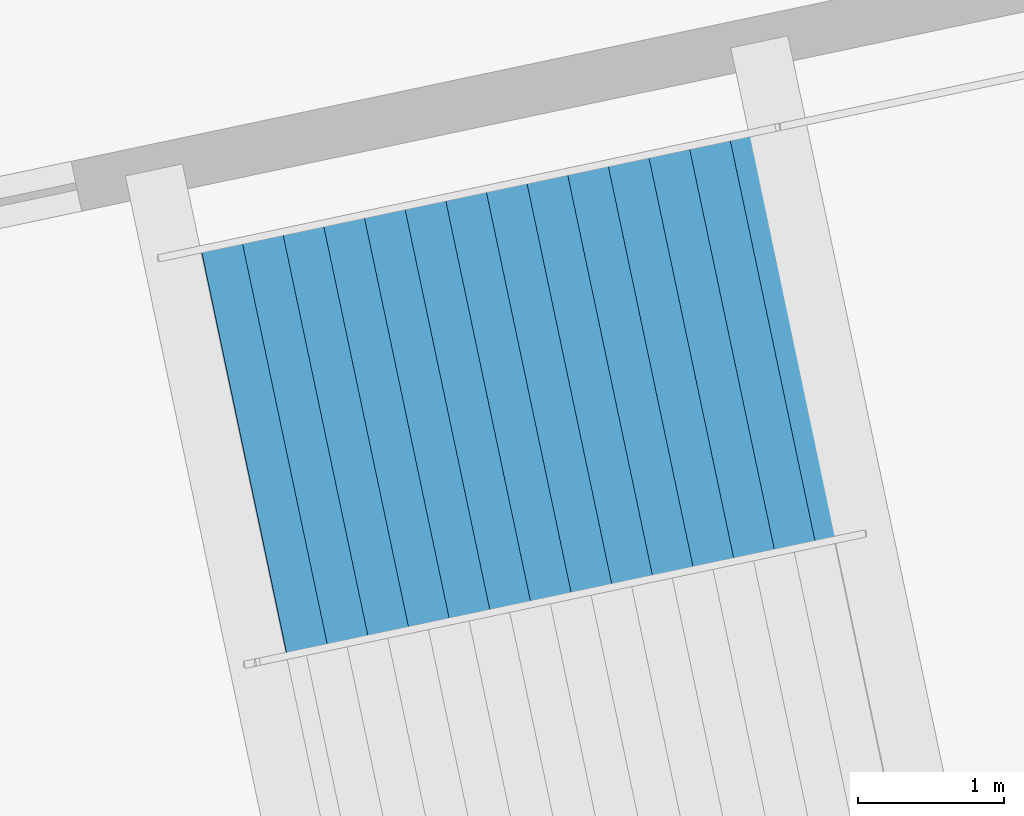
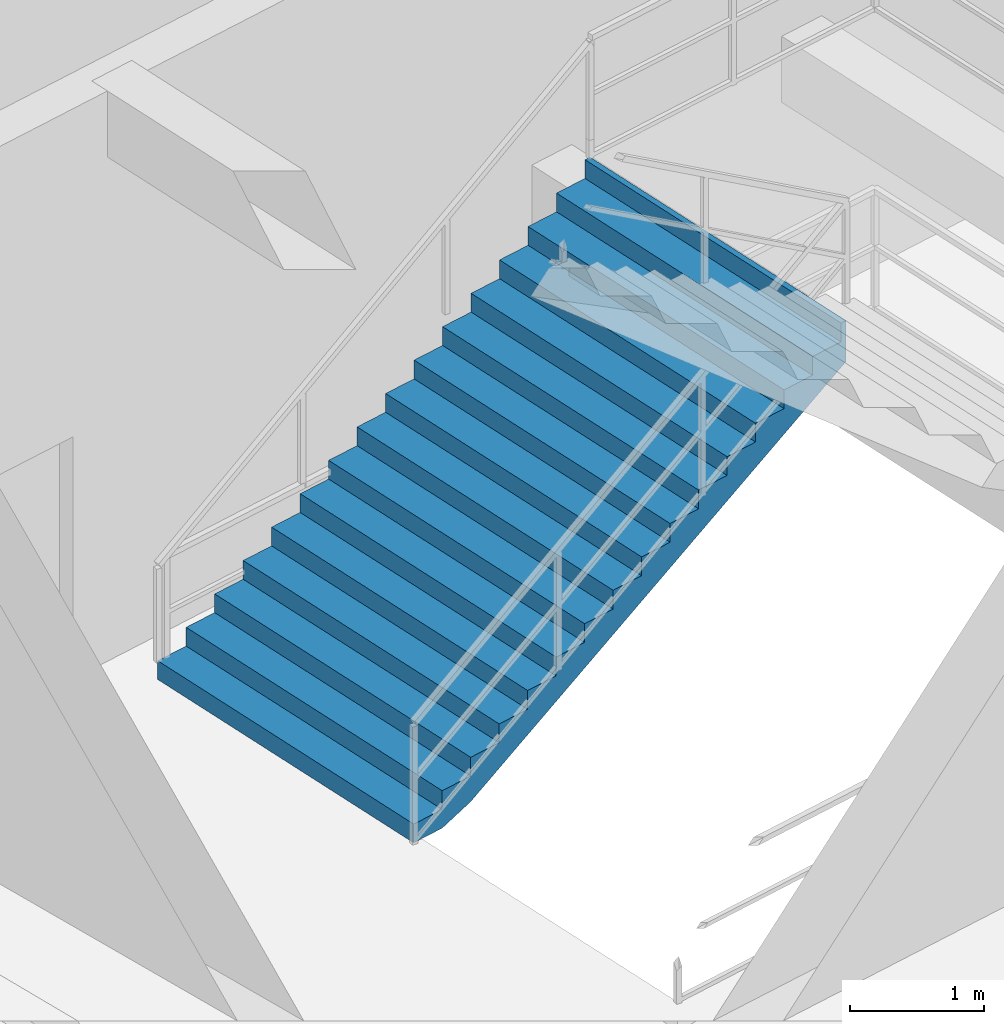
# One storey, part 86 of 103: 1 stair flight, 1 element without a shape of its own.
"""IFC4 building model written with IfcOpenShell, lengths in metres."""

from ifc_helpers import new_model, si_unit, direction, frame, origin, place, context, subcontext, project, spatial, polygons, material, type_object, element, aggregate, save


model = new_model("IFC4")

# Units and contexts
model_context = context("Model", 3, precision=1e-05, world=origin(), true_north=direction((0.0, 1.0)))
body_context = subcontext(model_context, "Body", "Model", "MODEL_VIEW")
ifc_project = project(units=[si_unit("LENGTHUNIT", "METRE"), si_unit("AREAUNIT", "SQUARE_METRE"), si_unit("VOLUMEUNIT", "CUBIC_METRE"), si_unit("PLANEANGLEUNIT", "RADIAN"), si_unit("MASSUNIT", "GRAM", prefix="KILO")], contexts=[model_context])

# Site, building, storey
site_placement = place(None, origin())
site = spatial("IfcSite", under=ifc_project, at=site_placement, CompositionType="ELEMENT")
building_placement = place(site_placement, origin())
building = spatial("IfcBuilding", under=site, at=building_placement, Name="Kazemori Nagisa Stadium", CompositionType="ELEMENT")
storey_placement = place(building_placement, frame((0.0, 0.0, 25.840087890625)))
storey = spatial("IfcBuildingStorey", under=building, at=storey_placement, Name="L05", CompositionType="ELEMENT", Elevation=25.840087890625)

# Stair, stair flight
ifc_material = material(Name="Concrete C36/45 (Fc36)", Category="concrete")
stair_type = type_object("IfcStairType", Name="Stair_CORE_32", PredefinedType="TWO_STRAIGHT_RUN_STAIR", material=ifc_material)
stair_placement = place(storey_placement, origin())
stair = element("IfcStair", 1, at=stair_placement, inside=storey, type_object=stair_type, Name="Exit stair ST06 L05", PredefinedType="TWO_STRAIGHT_RUN_STAIR")
stair_flight_type = type_object("IfcStairFlightType", Name="Flight_CORE_16", PredefinedType="STRAIGHT", material=ifc_material)
stair_flight_placement = place(storey_placement, frame((145.99365234375, 24.9423828125, 0.0), z_axis=(0.0, 0.0, 1.0), x_axis=(0.978336581214, 0.207020612159, 0.0)))
stair_flight = element("IfcStairFlight", 2, at=stair_flight_placement, type_object=stair_flight_type, Name="Exit stair ST06 L05 flight 1", NumberOfRisers=16, NumberOfTreads=15, PredefinedType="STRAIGHT", RiserHeight=0.17, TreadLength=0.285, context=body_context, shape_type="Tessellation", body=[
    polygons([(0.0, -1.425048828125, 0.0), (0.0, -1.425048828125, 0.169921875), (0.284912109375, -1.425048828125, 0.169921875), (0.284912109375, -1.425048828125, 0.340087890625), (0.570068359375, -1.425048828125, 0.340087890625), (0.570068359375, -1.425048828125, 0.510009765625), (0.85498046875, -1.425048828125, 0.510009765625), (0.85498046875, -1.425048828125, 0.679931640625), (1.139892578125, -1.425048828125, 0.679931640625), (1.139892578125, -1.425048828125, 0.85009765625), (1.425048828125, -1.425048828125, 0.85009765625), (1.425048828125, -1.425048828125, 1.02001953125), (1.7099609375, -1.425048828125, 1.02001953125), (1.7099609375, -1.425048828125, 1.18994140625), (1.9951171875, -1.425048828125, 1.18994140625), (1.9951171875, -1.425048828125, 1.360107421875), (2.280029296875, -1.425048828125, 1.360107421875), (2.280029296875, -1.425048828125, 1.530029296875), (2.56494140625, -1.425048828125, 1.530029296875), (2.56494140625, -1.425048828125, 1.699951171875), (2.85009765625, -1.425048828125, 1.699951171875), (2.85009765625, -1.425048828125, 1.8701171875), (3.135009765625, -1.425048828125, 1.8701171875), (3.135009765625, -1.425048828125, 2.0400390625), (3.419921875, -1.425048828125, 2.0400390625), (3.419921875, -1.425048828125, 2.2099609375), (3.705078125, -1.425048828125, 2.2099609375), (3.705078125, -1.425048828125, 2.3798828125), (3.989990234375, -1.425048828125, 2.3798828125), (3.989990234375, -1.425048828125, 2.550048828125), (4.27490234375, -1.425048828125, 2.550048828125), (4.27490234375, -1.425048828125, 2.719970703125), (4.324951171875, -1.425048828125, 2.719970703125), (4.324951171875, -1.425048828125, 2.346923828125), (4.27490234375, -1.425048828125, 2.317138671875), (3.989990234375, -1.425048828125, 2.147216796875), (3.705078125, -1.425048828125, 1.977294921875), (3.419921875, -1.425048828125, 1.80712890625), (3.135009765625, -1.425048828125, 1.63720703125), (2.85009765625, -1.425048828125, 1.46728515625), (2.56494140625, -1.425048828125, 1.297119140625), (2.280029296875, -1.425048828125, 1.127197265625), (1.9951171875, -1.425048828125, 0.957275390625), (1.7099609375, -1.425048828125, 0.787109375), (1.425048828125, -1.425048828125, 0.6171875), (1.139892578125, -1.425048828125, 0.447265625), (0.85498046875, -1.425048828125, 0.277099609375), (0.570068359375, -1.425048828125, 0.107177734375), (0.284912109375, -1.425048828125, 0.0), (0.0, -0.08544921875, 0.0), (0.0, -0.08544921875, 0.169921875), (0.284912109375, -0.08544921875, 0.169921875), (0.284912109375, -0.08544921875, 0.340087890625), (0.570068359375, -0.08544921875, 0.340087890625), (0.570068359375, -0.08544921875, 0.510009765625), (0.85498046875, -0.08544921875, 0.510009765625), (0.85498046875, -0.08544921875, 0.679931640625), (1.139892578125, -0.08544921875, 0.679931640625), (1.139892578125, -0.08544921875, 0.85009765625), (1.425048828125, -0.08544921875, 0.85009765625), (1.425048828125, -0.08544921875, 1.02001953125), (1.7099609375, -0.08544921875, 1.02001953125), (1.7099609375, -0.08544921875, 1.18994140625), (1.9951171875, -0.08544921875, 1.18994140625), (1.9951171875, -0.08544921875, 1.360107421875), (2.280029296875, -0.08544921875, 1.360107421875), (2.280029296875, -0.08544921875, 1.530029296875), (2.56494140625, -0.08544921875, 1.530029296875), (2.56494140625, -0.08544921875, 1.699951171875), (2.85009765625, -0.08544921875, 1.699951171875), (2.85009765625, -0.08544921875, 1.8701171875), (3.135009765625, -0.08544921875, 1.8701171875), (3.135009765625, -0.08544921875, 2.0400390625), (3.419921875, -0.08544921875, 2.0400390625), (3.419921875, -0.08544921875, 2.2099609375), (3.705078125, -0.08544921875, 2.2099609375), (3.705078125, -0.08544921875, 2.3798828125), (3.989990234375, -0.08544921875, 2.3798828125), (3.989990234375, -0.08544921875, 2.550048828125), (4.27490234375, -0.08544921875, 2.550048828125), (4.27490234375, -0.08544921875, 2.719970703125), (4.324951171875, -0.08544921875, 2.719970703125), (4.324951171875, -0.08544921875, 2.346923828125), (4.27490234375, -0.08544921875, 2.317138671875), (3.989990234375, -0.08544921875, 2.147216796875), (3.705078125, -0.08544921875, 1.977294921875), (3.419921875, -0.08544921875, 1.80712890625), (3.135009765625, -0.08544921875, 1.63720703125), (2.85009765625, -0.08544921875, 1.46728515625), (2.56494140625, -0.08544921875, 1.297119140625), (2.280029296875, -0.08544921875, 1.127197265625), (1.9951171875, -0.08544921875, 0.957275390625), (1.7099609375, -0.08544921875, 0.787109375), (1.425048828125, -0.08544921875, 0.6171875), (1.139892578125, -0.08544921875, 0.447265625), (0.85498046875, -0.08544921875, 0.277099609375), (0.570068359375, -0.08544921875, 0.107177734375), (0.284912109375, -0.08544921875, 0.0), (0.0, 0.0, 0.0), (0.0, 0.0, 0.169921875), (0.284912109375, 0.0, 0.169921875), (0.284912109375, 0.0, 0.340087890625), (0.570068359375, 0.0, 0.340087890625), (0.570068359375, 0.0, 0.510009765625), (0.85498046875, 0.0, 0.510009765625), (0.85498046875, 0.0, 0.679931640625), (1.139892578125, 0.0, 0.679931640625), (1.139892578125, 0.0, 0.85009765625), (1.425048828125, 0.0, 0.85009765625), (1.425048828125, 0.0, 1.02001953125), (1.7099609375, 0.0, 1.02001953125), (1.7099609375, 0.0, 1.18994140625), (1.9951171875, 0.0, 1.18994140625), (1.9951171875, 0.0, 1.360107421875), (2.280029296875, 0.0, 1.360107421875), (2.280029296875, 0.0, 1.530029296875), (2.56494140625, 0.0, 1.530029296875), (2.56494140625, 0.0, 1.699951171875), (2.85009765625, 0.0, 1.699951171875), (2.85009765625, 0.0, 1.8701171875), (3.135009765625, 0.0, 1.8701171875), (3.135009765625, 0.0, 2.0400390625), (3.419921875, 0.0, 2.0400390625), (3.419921875, 0.0, 2.2099609375), (3.705078125, 0.0, 2.2099609375), (3.705078125, 0.0, 2.3798828125), (3.989990234375, 0.0, 2.3798828125), (3.989990234375, 0.0, 2.550048828125), (4.27490234375, 0.0, 2.550048828125), (4.27490234375, 0.0, 2.719970703125), (4.324951171875, 0.0, 2.719970703125), (4.324951171875, 0.0, 2.346923828125), (4.27490234375, 0.0, 2.317138671875), (3.989990234375, 0.0, 2.147216796875), (3.705078125, 0.0, 1.977294921875), (3.419921875, 0.0, 1.80712890625), (3.135009765625, 0.0, 1.63720703125), (2.85009765625, 0.0, 1.46728515625), (2.56494140625, 0.0, 1.297119140625), (2.280029296875, 0.0, 1.127197265625), (1.9951171875, 0.0, 0.957275390625), (1.7099609375, 0.0, 0.787109375), (1.425048828125, 0.0, 0.6171875), (1.139892578125, 0.0, 0.447265625), (0.85498046875, 0.0, 0.277099609375), (0.570068359375, 0.0, 0.107177734375), (0.284912109375, 0.0, 0.0), (0.0, 0.08544921875, 0.0), (0.0, 0.08544921875, 0.169921875), (0.284912109375, 0.08544921875, 0.169921875), (0.284912109375, 0.08544921875, 0.340087890625), (0.570068359375, 0.08544921875, 0.340087890625), (0.570068359375, 0.08544921875, 0.510009765625), (0.85498046875, 0.08544921875, 0.510009765625), (0.85498046875, 0.08544921875, 0.679931640625), (1.139892578125, 0.08544921875, 0.679931640625), (1.139892578125, 0.08544921875, 0.85009765625), (1.425048828125, 0.08544921875, 0.85009765625), (1.425048828125, 0.08544921875, 1.02001953125), (1.7099609375, 0.08544921875, 1.02001953125), (1.7099609375, 0.08544921875, 1.18994140625), (1.9951171875, 0.08544921875, 1.18994140625), (1.9951171875, 0.08544921875, 1.360107421875), (2.280029296875, 0.08544921875, 1.360107421875), (2.280029296875, 0.08544921875, 1.530029296875), (2.56494140625, 0.08544921875, 1.530029296875), (2.56494140625, 0.08544921875, 1.699951171875), (2.85009765625, 0.08544921875, 1.699951171875), (2.85009765625, 0.08544921875, 1.8701171875), (3.135009765625, 0.08544921875, 1.8701171875), (3.135009765625, 0.08544921875, 2.0400390625), (3.419921875, 0.08544921875, 2.0400390625), (3.419921875, 0.08544921875, 2.2099609375), (3.705078125, 0.08544921875, 2.2099609375), (3.705078125, 0.08544921875, 2.3798828125), (3.989990234375, 0.08544921875, 2.3798828125), (3.989990234375, 0.08544921875, 2.550048828125), (4.27490234375, 0.08544921875, 2.550048828125), (4.27490234375, 0.08544921875, 2.719970703125), (4.324951171875, 0.08544921875, 2.719970703125), (4.324951171875, 0.08544921875, 2.346923828125), (4.27490234375, 0.08544921875, 2.317138671875), (3.989990234375, 0.08544921875, 2.147216796875), (3.705078125, 0.08544921875, 1.977294921875), (3.419921875, 0.08544921875, 1.80712890625), (3.135009765625, 0.08544921875, 1.63720703125), (2.85009765625, 0.08544921875, 1.46728515625), (2.56494140625, 0.08544921875, 1.297119140625), (2.280029296875, 0.08544921875, 1.127197265625), (1.9951171875, 0.08544921875, 0.957275390625), (1.7099609375, 0.08544921875, 0.787109375), (1.425048828125, 0.08544921875, 0.6171875), (1.139892578125, 0.08544921875, 0.447265625), (0.85498046875, 0.08544921875, 0.277099609375), (0.570068359375, 0.08544921875, 0.107177734375), (0.284912109375, 0.08544921875, 0.0), (0.0, 1.425048828125, 0.0), (0.0, 1.425048828125, 0.169921875), (0.284912109375, 1.425048828125, 0.169921875), (0.284912109375, 1.425048828125, 0.340087890625), (0.570068359375, 1.425048828125, 0.340087890625), (0.570068359375, 1.425048828125, 0.510009765625), (0.85498046875, 1.425048828125, 0.510009765625), (0.85498046875, 1.425048828125, 0.679931640625), (1.139892578125, 1.425048828125, 0.679931640625), (1.139892578125, 1.425048828125, 0.85009765625), (1.425048828125, 1.425048828125, 0.85009765625), (1.425048828125, 1.425048828125, 1.02001953125), (1.7099609375, 1.425048828125, 1.02001953125), (1.7099609375, 1.425048828125, 1.18994140625), (1.9951171875, 1.425048828125, 1.18994140625), (1.9951171875, 1.425048828125, 1.360107421875), (2.280029296875, 1.425048828125, 1.360107421875), (2.280029296875, 1.425048828125, 1.530029296875), (2.56494140625, 1.425048828125, 1.530029296875), (2.56494140625, 1.425048828125, 1.699951171875), (2.85009765625, 1.425048828125, 1.699951171875), (2.85009765625, 1.425048828125, 1.8701171875), (3.135009765625, 1.425048828125, 1.8701171875), (3.135009765625, 1.425048828125, 2.0400390625), (3.419921875, 1.425048828125, 2.0400390625), (3.419921875, 1.425048828125, 2.2099609375), (3.705078125, 1.425048828125, 2.2099609375), (3.705078125, 1.425048828125, 2.3798828125), (3.989990234375, 1.425048828125, 2.3798828125), (3.989990234375, 1.425048828125, 2.550048828125), (4.27490234375, 1.425048828125, 2.550048828125), (4.27490234375, 1.425048828125, 2.719970703125), (4.324951171875, 1.425048828125, 2.719970703125), (4.324951171875, 1.425048828125, 2.346923828125), (4.27490234375, 1.425048828125, 2.317138671875), (3.989990234375, 1.425048828125, 2.147216796875), (3.705078125, 1.425048828125, 1.977294921875), (3.419921875, 1.425048828125, 1.80712890625), (3.135009765625, 1.425048828125, 1.63720703125), (2.85009765625, 1.425048828125, 1.46728515625), (2.56494140625, 1.425048828125, 1.297119140625), (2.280029296875, 1.425048828125, 1.127197265625), (1.9951171875, 1.425048828125, 0.957275390625), (1.7099609375, 1.425048828125, 0.787109375), (1.425048828125, 1.425048828125, 0.6171875), (1.139892578125, 1.425048828125, 0.447265625), (0.85498046875, 1.425048828125, 0.277099609375), (0.570068359375, 1.425048828125, 0.107177734375), (0.284912109375, 1.425048828125, 0.0)], [[[1, 2, 51]], [[1, 51, 50]], [[2, 3, 52]], [[2, 52, 51]], [[3, 4, 53]], [[3, 53, 52]], [[4, 5, 54]], [[4, 54, 53]], [[5, 6, 55]], [[5, 55, 54]], [[6, 7, 56]], [[6, 56, 55]], [[7, 8, 57]], [[7, 57, 56]], [[8, 9, 58]], [[8, 58, 57]], [[9, 10, 59]], [[9, 59, 58]], [[10, 11, 60]], [[10, 60, 59]], [[11, 12, 61]], [[11, 61, 60]], [[12, 13, 62]], [[12, 62, 61]], [[13, 14, 63]], [[13, 63, 62]], [[14, 15, 64]], [[14, 64, 63]], [[15, 16, 65]], [[15, 65, 64]], [[16, 17, 66]], [[16, 66, 65]], [[17, 18, 67]], [[17, 67, 66]], [[18, 19, 68]], [[18, 68, 67]], [[19, 20, 69]], [[19, 69, 68]], [[20, 21, 70]], [[20, 70, 69]], [[21, 22, 71]], [[21, 71, 70]], [[22, 23, 72]], [[22, 72, 71]], [[23, 24, 73]], [[23, 73, 72]], [[24, 25, 74]], [[24, 74, 73]], [[25, 26, 75]], [[25, 75, 74]], [[26, 27, 76]], [[26, 76, 75]], [[27, 28, 77]], [[27, 77, 76]], [[28, 29, 78]], [[28, 78, 77]], [[29, 30, 79]], [[29, 79, 78]], [[30, 31, 80]], [[30, 80, 79]], [[31, 32, 81]], [[31, 81, 80]], [[32, 33, 82]], [[32, 82, 81]], [[33, 34, 83]], [[33, 83, 82]], [[34, 35, 84]], [[34, 84, 83]], [[35, 36, 85]], [[35, 85, 84]], [[36, 37, 86]], [[36, 86, 85]], [[37, 38, 87]], [[37, 87, 86]], [[38, 39, 88]], [[38, 88, 87]], [[39, 40, 89]], [[39, 89, 88]], [[40, 41, 90]], [[40, 90, 89]], [[41, 42, 91]], [[41, 91, 90]], [[42, 43, 92]], [[42, 92, 91]], [[43, 44, 93]], [[43, 93, 92]], [[44, 45, 94]], [[44, 94, 93]], [[45, 46, 95]], [[45, 95, 94]], [[46, 47, 96]], [[46, 96, 95]], [[47, 48, 97]], [[47, 97, 96]], [[48, 49, 98]], [[48, 98, 97]], [[49, 1, 50]], [[49, 50, 98]], [[50, 51, 100]], [[50, 100, 99]], [[51, 52, 101]], [[51, 101, 100]], [[52, 53, 102]], [[52, 102, 101]], [[53, 54, 103]], [[53, 103, 102]], [[54, 55, 104]], [[54, 104, 103]], [[55, 56, 105]], [[55, 105, 104]], [[56, 57, 106]], [[56, 106, 105]], [[57, 58, 107]], [[57, 107, 106]], [[58, 59, 108]], [[58, 108, 107]], [[59, 60, 109]], [[59, 109, 108]], [[60, 61, 110]], [[60, 110, 109]], [[61, 62, 111]], [[61, 111, 110]], [[62, 63, 112]], [[62, 112, 111]], [[63, 64, 113]], [[63, 113, 112]], [[64, 65, 114]], [[64, 114, 113]], [[65, 66, 115]], [[65, 115, 114]], [[66, 67, 116]], [[66, 116, 115]], [[67, 68, 117]], [[67, 117, 116]], [[68, 69, 118]], [[68, 118, 117]], [[69, 70, 119]], [[69, 119, 118]], [[70, 71, 120]], [[70, 120, 119]], [[71, 72, 121]], [[71, 121, 120]], [[72, 73, 122]], [[72, 122, 121]], [[73, 74, 123]], [[73, 123, 122]], [[74, 75, 124]], [[74, 124, 123]], [[75, 76, 125]], [[75, 125, 124]], [[76, 77, 126]], [[76, 126, 125]], [[77, 78, 127]], [[77, 127, 126]], [[78, 79, 128]], [[78, 128, 127]], [[79, 80, 129]], [[79, 129, 128]], [[80, 81, 130]], [[80, 130, 129]], [[81, 82, 131]], [[81, 131, 130]], [[82, 83, 132]], [[82, 132, 131]], [[83, 84, 133]], [[83, 133, 132]], [[84, 85, 134]], [[84, 134, 133]], [[85, 86, 135]], [[85, 135, 134]], [[86, 87, 136]], [[86, 136, 135]], [[87, 88, 137]], [[87, 137, 136]], [[88, 89, 138]], [[88, 138, 137]], [[89, 90, 139]], [[89, 139, 138]], [[90, 91, 140]], [[90, 140, 139]], [[91, 92, 141]], [[91, 141, 140]], [[92, 93, 142]], [[92, 142, 141]], [[93, 94, 143]], [[93, 143, 142]], [[94, 95, 144]], [[94, 144, 143]], [[95, 96, 145]], [[95, 145, 144]], [[96, 97, 146]], [[96, 146, 145]], [[97, 98, 147]], [[97, 147, 146]], [[98, 50, 99]], [[98, 99, 147]], [[99, 100, 149]], [[99, 149, 148]], [[100, 101, 150]], [[100, 150, 149]], [[101, 102, 151]], [[101, 151, 150]], [[102, 103, 152]], [[102, 152, 151]], [[103, 104, 153]], [[103, 153, 152]], [[104, 105, 154]], [[104, 154, 153]], [[105, 106, 155]], [[105, 155, 154]], [[106, 107, 156]], [[106, 156, 155]], [[107, 108, 157]], [[107, 157, 156]], [[108, 109, 158]], [[108, 158, 157]], [[109, 110, 159]], [[109, 159, 158]], [[110, 111, 160]], [[110, 160, 159]], [[111, 112, 161]], [[111, 161, 160]], [[112, 113, 162]], [[112, 162, 161]], [[113, 114, 163]], [[113, 163, 162]], [[114, 115, 164]], [[114, 164, 163]], [[115, 116, 165]], [[115, 165, 164]], [[116, 117, 166]], [[116, 166, 165]], [[117, 118, 167]], [[117, 167, 166]], [[118, 119, 168]], [[118, 168, 167]], [[119, 120, 169]], [[119, 169, 168]], [[120, 121, 170]], [[120, 170, 169]], [[121, 122, 171]], [[121, 171, 170]], [[122, 123, 172]], [[122, 172, 171]], [[123, 124, 173]], [[123, 173, 172]], [[124, 125, 174]], [[124, 174, 173]], [[125, 126, 175]], [[125, 175, 174]], [[126, 127, 176]], [[126, 176, 175]], [[127, 128, 177]], [[127, 177, 176]], [[128, 129, 178]], [[128, 178, 177]], [[129, 130, 179]], [[129, 179, 178]], [[130, 131, 180]], [[130, 180, 179]], [[131, 132, 181]], [[131, 181, 180]], [[132, 133, 182]], [[132, 182, 181]], [[133, 134, 183]], [[133, 183, 182]], [[134, 135, 184]], [[134, 184, 183]], [[135, 136, 185]], [[135, 185, 184]], [[136, 137, 186]], [[136, 186, 185]], [[137, 138, 187]], [[137, 187, 186]], [[138, 139, 188]], [[138, 188, 187]], [[139, 140, 189]], [[139, 189, 188]], [[140, 141, 190]], [[140, 190, 189]], [[141, 142, 191]], [[141, 191, 190]], [[142, 143, 192]], [[142, 192, 191]], [[143, 144, 193]], [[143, 193, 192]], [[144, 145, 194]], [[144, 194, 193]], [[145, 146, 195]], [[145, 195, 194]], [[146, 147, 196]], [[146, 196, 195]], [[147, 99, 148]], [[147, 148, 196]], [[148, 149, 198]], [[148, 198, 197]], [[149, 150, 199]], [[149, 199, 198]], [[150, 151, 200]], [[150, 200, 199]], [[151, 152, 201]], [[151, 201, 200]], [[152, 153, 202]], [[152, 202, 201]], [[153, 154, 203]], [[153, 203, 202]], [[154, 155, 204]], [[154, 204, 203]], [[155, 156, 205]], [[155, 205, 204]], [[156, 157, 206]], [[156, 206, 205]], [[157, 158, 207]], [[157, 207, 206]], [[158, 159, 208]], [[158, 208, 207]], [[159, 160, 209]], [[159, 209, 208]], [[160, 161, 210]], [[160, 210, 209]], [[161, 162, 211]], [[161, 211, 210]], [[162, 163, 212]], [[162, 212, 211]], [[163, 164, 213]], [[163, 213, 212]], [[164, 165, 214]], [[164, 214, 213]], [[165, 166, 215]], [[165, 215, 214]], [[166, 167, 216]], [[166, 216, 215]], [[167, 168, 217]], [[167, 217, 216]], [[168, 169, 218]], [[168, 218, 217]], [[169, 170, 219]], [[169, 219, 218]], [[170, 171, 220]], [[170, 220, 219]], [[171, 172, 221]], [[171, 221, 220]], [[172, 173, 222]], [[172, 222, 221]], [[173, 174, 223]], [[173, 223, 222]], [[174, 175, 224]], [[174, 224, 223]], [[175, 176, 225]], [[175, 225, 224]], [[176, 177, 226]], [[176, 226, 225]], [[177, 178, 227]], [[177, 227, 226]], [[178, 179, 228]], [[178, 228, 227]], [[179, 180, 229]], [[179, 229, 228]], [[180, 181, 230]], [[180, 230, 229]], [[181, 182, 231]], [[181, 231, 230]], [[182, 183, 232]], [[182, 232, 231]], [[183, 184, 233]], [[183, 233, 232]], [[184, 185, 234]], [[184, 234, 233]], [[185, 186, 235]], [[185, 235, 234]], [[186, 187, 236]], [[186, 236, 235]], [[187, 188, 237]], [[187, 237, 236]], [[188, 189, 238]], [[188, 238, 237]], [[189, 190, 239]], [[189, 239, 238]], [[190, 191, 240]], [[190, 240, 239]], [[191, 192, 241]], [[191, 241, 240]], [[192, 193, 242]], [[192, 242, 241]], [[193, 194, 243]], [[193, 243, 242]], [[194, 195, 244]], [[194, 244, 243]], [[195, 196, 245]], [[195, 245, 244]], [[196, 148, 197]], [[196, 197, 245]], [[3, 2, 1]], [[197, 198, 199]], [[49, 3, 1]], [[197, 199, 245]], [[48, 3, 49]], [[245, 199, 244]], [[5, 3, 48]], [[244, 199, 201]], [[5, 4, 3]], [[199, 200, 201]], [[47, 5, 48]], [[244, 201, 243]], [[7, 5, 47]], [[243, 201, 203]], [[7, 6, 5]], [[201, 202, 203]], [[46, 7, 47]], [[243, 203, 242]], [[9, 7, 46]], [[242, 203, 205]], [[9, 8, 7]], [[203, 204, 205]], [[45, 9, 46]], [[242, 205, 241]], [[11, 9, 45]], [[241, 205, 207]], [[11, 10, 9]], [[205, 206, 207]], [[44, 11, 45]], [[241, 207, 240]], [[13, 11, 44]], [[240, 207, 209]], [[13, 12, 11]], [[207, 208, 209]], [[43, 13, 44]], [[240, 209, 239]], [[15, 13, 43]], [[239, 209, 211]], [[15, 14, 13]], [[209, 210, 211]], [[42, 15, 43]], [[239, 211, 238]], [[17, 15, 42]], [[238, 211, 213]], [[17, 16, 15]], [[211, 212, 213]], [[41, 17, 42]], [[238, 213, 237]], [[19, 17, 41]], [[237, 213, 215]], [[19, 18, 17]], [[213, 214, 215]], [[40, 19, 41]], [[237, 215, 236]], [[21, 19, 40]], [[236, 215, 217]], [[21, 20, 19]], [[215, 216, 217]], [[39, 21, 40]], [[236, 217, 235]], [[23, 21, 39]], [[235, 217, 219]], [[23, 22, 21]], [[217, 218, 219]], [[38, 23, 39]], [[235, 219, 234]], [[25, 23, 38]], [[234, 219, 221]], [[25, 24, 23]], [[219, 220, 221]], [[37, 25, 38]], [[234, 221, 233]], [[27, 25, 37]], [[233, 221, 223]], [[27, 26, 25]], [[221, 222, 223]], [[36, 27, 37]], [[233, 223, 232]], [[29, 27, 36]], [[232, 223, 225]], [[29, 28, 27]], [[223, 224, 225]], [[35, 29, 36]], [[232, 225, 231]], [[31, 29, 35]], [[231, 225, 227]], [[31, 30, 29]], [[225, 226, 227]], [[34, 31, 35]], [[231, 227, 230]], [[33, 31, 34]], [[230, 227, 229]], [[33, 32, 31]], [[227, 228, 229]]], closed=True),
])
aggregate(stair, [stair_flight])

save(model, "model.ifc")
